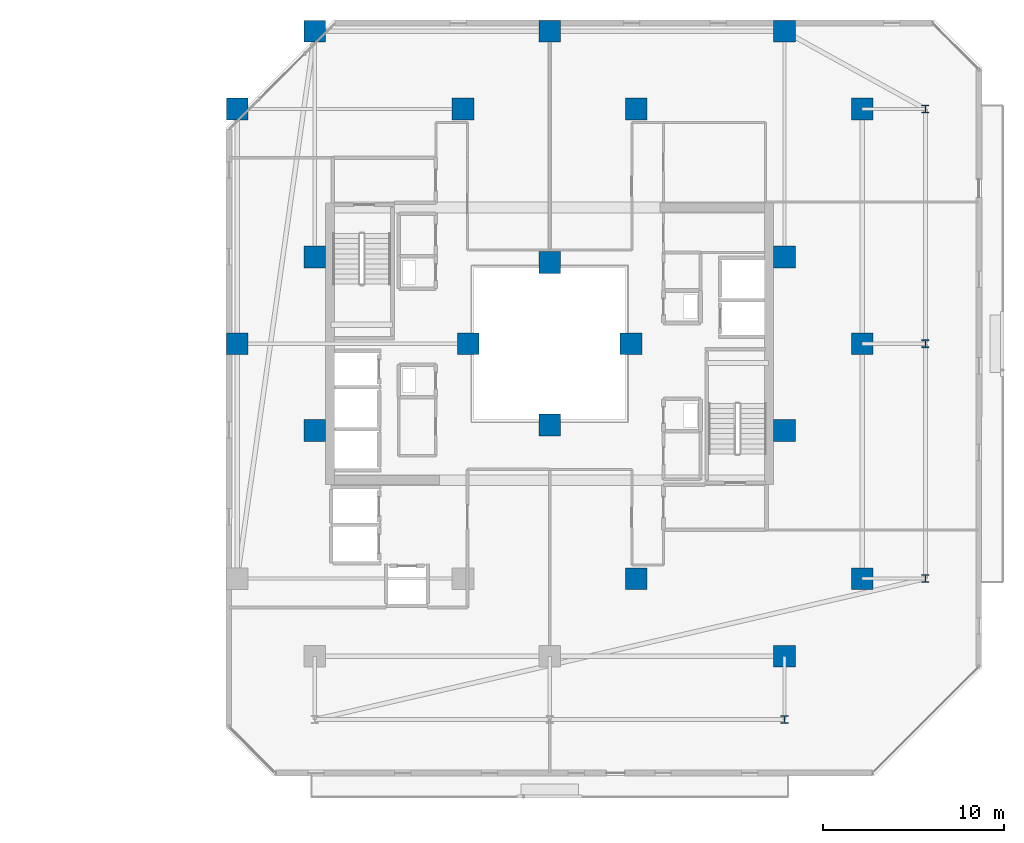
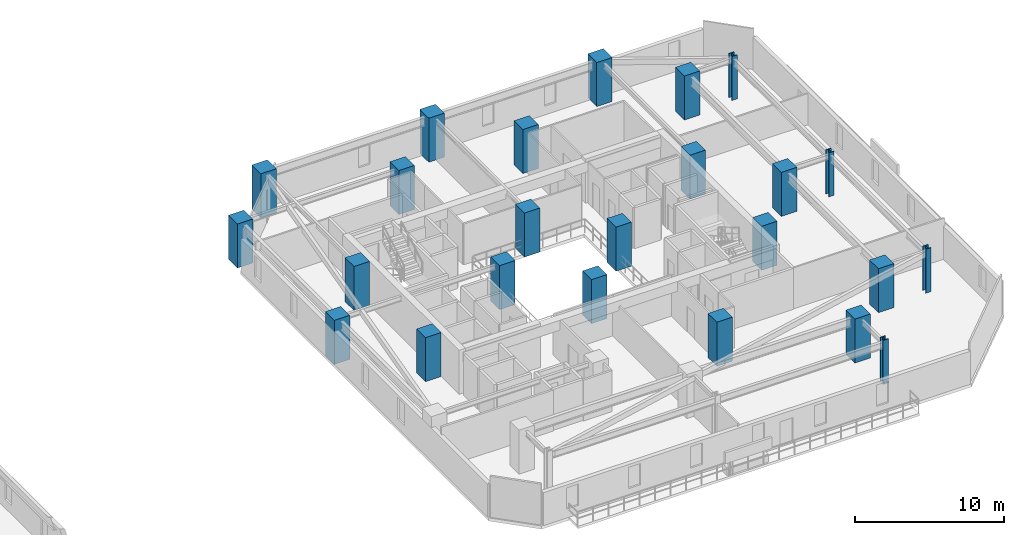
# One storey, part 2 of 32: 24 columns.
"""IFC4 building model written with IfcOpenShell, lengths in metres."""

from ifc_helpers import new_model, si_unit, direction, frame, origin, origin_2d, place, context, subcontext, project, spatial, rectangle, i_section, extrude, material, material_profile, profile_set, type_object, element, save


model = new_model("IFC4")

# Units and contexts
model_context = context("Model", 3, precision=1e-05, world=origin(), true_north=direction((0.0, 1.0)))
body_context = subcontext(model_context, "Body", "Model", "MODEL_VIEW")
ifc_project = project(units=[si_unit("LENGTHUNIT", "METRE"), si_unit("AREAUNIT", "SQUARE_METRE"), si_unit("VOLUMEUNIT", "CUBIC_METRE"), si_unit("PLANEANGLEUNIT", "RADIAN"), si_unit("MASSUNIT", "GRAM", prefix="KILO")], contexts=[model_context])

# Site, building, storey
site_placement = place(None, origin())
site = spatial("IfcSite", under=ifc_project, at=site_placement, CompositionType="ELEMENT")
building_placement = place(site_placement, origin())
building = spatial("IfcBuilding", under=site, at=building_placement, Name="Thornwick Lancets Civic Towers", CompositionType="ELEMENT")
storey_placement = place(building_placement, frame((0.0, 0.0, 123.300048828125)))
storey = spatial("IfcBuildingStorey", under=building, at=storey_placement, Name="L32", CompositionType="ELEMENT", Elevation=123.300048828125)

# Columns
ifc_material_1 = material(Name="Concrete C60/75", Category="concrete")
ifc_material_profile_1 = material_profile(ifc_material_1, rectangle(XDim=1.199951171875, YDim=1.199951171875, at=origin_2d()), Name="RC 1200x1200")
ifc_profile_set_1 = profile_set([ifc_material_profile_1], Name="Concrete C60/75")
column_type_1 = type_object("IfcColumnType", Name="COL_RC_1200", PredefinedType="COLUMN", material=ifc_profile_set_1)
for number, where, z_axis, x_axis, name in (
    (1, (105.800048828125, 14.0, 0.0), (0.0, 0.0, 1.0), (1.0, 0.0, 0.0), "L32 Spine Mega-Column B01"),
    (2, (105.800048828125, 27.0, 0.0), (0.0, 0.0, 1.0), (1.0, 0.0, 0.0), "L32 Spine Mega-Column B02"),
    (3, (105.800048828125, 40.0, 0.0), (0.0, 0.0, 1.0), (1.0, 0.0, 0.0), "L32 Spine Mega-Column B03"),
    (4, (101.5, 44.300048828125, 0.0), (0.0, 0.0, 1.0), (1.0, 0.0, 0.0), "L32 Spine Mega-Column B04"),
    (5, (88.5, 44.300048828125, 0.0), (0.0, 0.0, 1.0), (1.0, 0.0, 0.0), "L32 Spine Mega-Column B05"),
    (6, (75.5, 44.300048828125, 0.0), (0.0, 0.0, 1.0), (1.0, 0.0, 0.0), "L32 Spine Mega-Column B06"),
    (7, (71.199951171875, 27.0, 0.0), (0.0, 0.0, 1.0), (1.0, 0.0, 0.0), "L32 Spine Mega-Column B08"),
    (8, (71.199951171875, 40.0, 0.0), (0.0, 0.0, 1.0), (1.0, 0.0, 0.0), "L32 Spine Mega-Column B09"),
    (9, (101.5, 9.699951171875, 0.0), (0.0, 0.0, 1.0), (1.0, 0.0, 0.0), "L32 Spine Mega-Column B10"),
    (10, (93.300048828125, 14.0, 0.0), (0.0, 0.0, 1.0), (1.0, 0.0, 0.0), "L32 Spine Mega-Column B13"),
    (11, (93.300048828125, 40.0, 0.0), (0.0, 0.0, 1.0), (1.0, 0.0, 0.0), "L32 Spine Mega-Column B14"),
    (12, (83.699951171875, 40.0, 0.0), (0.0, 0.0, 1.0), (1.0, 0.0, 0.0), "L32 Spine Mega-Column B16"),
    (13, (101.5, 22.199951171875, 0.0), (0.0, 0.0, 1.0), (1.0, 0.0, 0.0), "L32 Spine Mega-Column B17"),
    (14, (101.5, 31.800048828125, 0.0), (0.0, 0.0, 1.0), (1.0, 0.0, 0.0), "L32 Spine Mega-Column B18"),
    (15, (75.5, 22.199951171875, 0.0), (0.0, 0.0, 1.0), (1.0, 0.0, 0.0), "L32 Spine Mega-Column B19"),
    (16, (75.5, 31.800048828125, 0.0), (0.0, 0.0, 1.0), (1.0, 0.0, 0.0), "L32 Spine Mega-Column B20"),
    (17, (93.0, 27.0, 0.0), (0.0, 0.0, 1.0), (1.0, 0.0, 0.0), "L32 Spine Mega-Column B21"),
    (18, (84.0, 27.0, 0.0), (0.0, 0.0, 1.0), (1.0, 0.0, 0.0), "L32 Spine Mega-Column B22"),
    (19, (88.5, 22.5, 0.0), (0.0, 0.0, 1.0), (1.0, 0.0, 0.0), "L32 Spine Mega-Column B23"),
    (20, (88.5, 31.5, 0.0), (0.0, 0.0, 1.0), (1.0, 0.0, 0.0), "L32 Spine Mega-Column B24"),
):
    element("IfcColumn", number, at=place(storey_placement, frame(where, z_axis=z_axis, x_axis=x_axis)), inside=storey, type_object=column_type_1, Name=name, PredefinedType="COLUMN", context=body_context, shape_type="SweptSolid", body=[
        extrude(rectangle(XDim=1.199951171875, YDim=1.199951171875, at=origin_2d()), origin(), (0.0, 0.0, 1.0), 3.599853515625),
    ])
ifc_material_2 = material(Name="Steel S460M", Category="steel")
ifc_material_profile_2 = material_profile(ifc_material_2, i_section(OverallWidth=0.41845703125, OverallDepth=0.45556640625, WebThickness=0.0419921875, FlangeThickness=0.0673828125, FilletRadius=0.01513671875, at=origin_2d()), Name="UKC 356x406x551")
ifc_profile_set_2 = profile_set([ifc_material_profile_2], Name="Steel S460M")
column_type_2 = type_object("IfcColumnType", Name="COL_UKC_551", PredefinedType="COLUMN", material=ifc_profile_set_2)
for number, where, z_axis, x_axis, name in (
    (21, (109.300048828125, 14.0, 0.0), (0.0, 0.0, 1.0), (1.0, 0.0, 0.0), "L32 Block Perimeter Column B01"),
    (22, (109.300048828125, 27.0, 0.0), (0.0, 0.0, 1.0), (1.0, 0.0, 0.0), "L32 Block Perimeter Column B02"),
    (23, (109.300048828125, 40.0, 0.0), (0.0, 0.0, 1.0), (1.0, 0.0, 0.0), "L32 Block Perimeter Column B03"),
    (24, (101.5, 6.199951171875, 0.0), (0.0, 0.0, 1.0), (1.0, 0.0, 0.0), "L32 Block Perimeter Column B10"),
):
    element("IfcColumn", number, at=place(storey_placement, frame(where, z_axis=z_axis, x_axis=x_axis)), inside=storey, type_object=column_type_2, Name=name, PredefinedType="COLUMN", context=body_context, shape_type="SweptSolid", body=[
        extrude(i_section(OverallWidth=0.41845703125, OverallDepth=0.45556640625, WebThickness=0.0419921875, FlangeThickness=0.0673828125, FilletRadius=0.01513671875, at=origin_2d()), origin(), (0.0, 0.0, 1.0), 3.599853515625),
    ])

save(model, "model.ifc")
